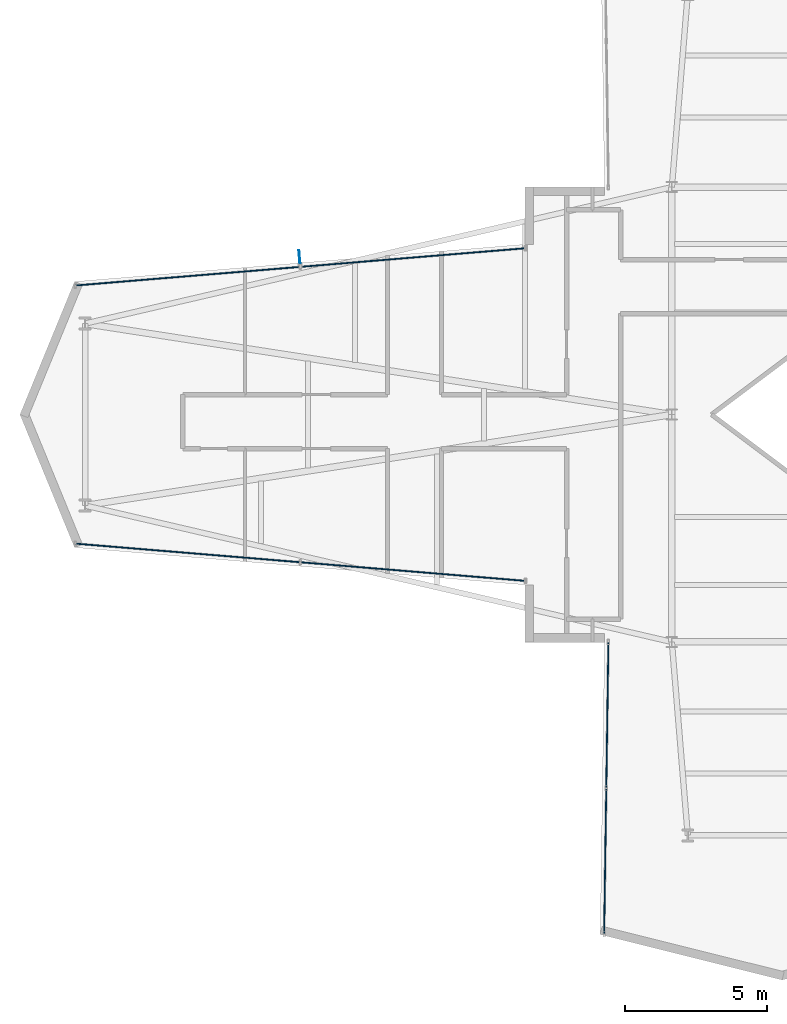
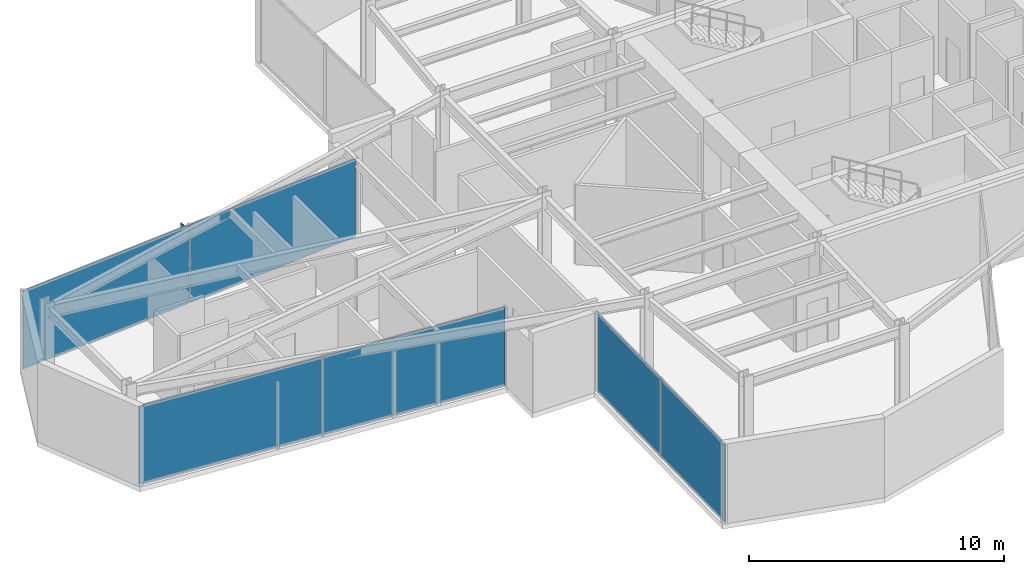
# One storey, part 19 of 25: 7 plates, 3 elements without a shape of their own.
"""IFC4 building model written with IfcOpenShell, lengths in metres."""

import ifcopenshell
import ifcopenshell.guid

model = None  # the IFC model being written
_history = None  # IfcOwnerHistory: only IFC2X3 demands one
_inside = {}  # id of a spatial element -> (the spatial element, [elements in it])
_under = {}  # id of a project, library or spatial element -> (it, [spatial elements below it])
_declared = {}  # id of a project -> (the project, [libraries it declares])
_typed = {}  # id of a type object -> (the type object, [elements of that type])
_made_of = {}  # id of a material, layer set ... -> (it, [elements and type objects made of it])


def new_model(schema):
    """Start an empty IFC model of exactly this schema.

    Asked for "IFC4X3", IfcOpenShell would pick the latest addendum, in which some entities
    have other attributes; the version numbers below select the first issue.
    IFC2X3 requires an IfcOwnerHistory on every rooted entity: one is made here for all.
    """
    global model, _history
    if schema == "IFC4X3":
        model = ifcopenshell.file(schema_version=(4, 3, 0, 0))
    else:
        model = ifcopenshell.file(schema=schema)
    _inside.clear()
    _under.clear()
    _declared.clear()
    _typed.clear()
    _made_of.clear()
    _history = None
    if model.schema == "IFC2X3":
        org = make("IfcOrganization", Name="unknown")
        user = make(
            "IfcPersonAndOrganization",
            ThePerson=make("IfcPerson", FamilyName="unknown"),
            TheOrganization=org,
        )
        app = make(
            "IfcApplication",
            ApplicationDeveloper=org,
            Version="unknown",
            ApplicationFullName="unknown",
            ApplicationIdentifier="unknown",
        )
        _history = make(
            "IfcOwnerHistory",
            OwningUser=user,
            OwningApplication=app,
            ChangeAction="ADDED",
            CreationDate=0,
        )
    return model


def make(cls, **values):
    """One entity of the class cls with the attributes given. An attribute that is None is left unset."""
    return model.create_entity(
        cls, **{name: value for name, value in values.items() if value is not None}
    )


def rooted(cls, **values):
    """An entity with a GlobalId (a new one), such as an element, a storey or a relation."""
    return make(cls, GlobalId=ifcopenshell.guid.new(), OwnerHistory=_history, **values)


def si_unit(unit_type, name, prefix=None):
    """IfcSIUnit, for example si_unit("LENGTHUNIT", "METRE", prefix="MILLI")."""
    return make("IfcSIUnit", UnitType=unit_type, Prefix=prefix, Name=name)


def assignment(units):
    """IfcUnitAssignment: the units of a project."""
    return None if units is None else make("IfcUnitAssignment", Units=units)


def point(xyz):
    """IfcCartesianPoint."""
    return None if xyz is None else make("IfcCartesianPoint", Coordinates=xyz)


def direction(xyz):
    """IfcDirection."""
    return None if xyz is None else make("IfcDirection", DirectionRatios=xyz)


def frame(location, z_axis=None, x_axis=None):
    """IfcAxis2Placement3D, a coordinate frame: its origin and axes. An axis left out is left unset."""
    return make(
        "IfcAxis2Placement3D",
        Location=point(location),
        Axis=direction(z_axis),
        RefDirection=direction(x_axis),
    )


def frame_2d(location, x_axis=None):
    """IfcAxis2Placement2D, a coordinate frame in the plane: its origin and x axis."""
    return make(
        "IfcAxis2Placement2D", Location=point(location), RefDirection=direction(x_axis)
    )


def origin():
    """The frame at (0, 0, 0) with its axes left unset."""
    return frame((0.0, 0.0, 0.0))


def origin_2d():
    """The frame at (0, 0) in the plane with its x axis left unset."""
    return frame_2d((0.0, 0.0))


def place(relative_to, where):
    """IfcLocalPlacement: puts the frame where relative to a parent placement (None: the world)."""
    return make(
        "IfcLocalPlacement", PlacementRelTo=relative_to, RelativePlacement=where
    )


def context(
    kind, dimensions, precision=None, world=None, true_north=None, identifier=None
):
    """IfcGeometricRepresentationContext, for example the 3D "Model" context."""
    return make(
        "IfcGeometricRepresentationContext",
        ContextIdentifier=identifier,
        ContextType=kind,
        CoordinateSpaceDimension=dimensions,
        Precision=precision,
        WorldCoordinateSystem=world,
        TrueNorth=true_north,
    )


def subcontext(parent, identifier, kind, view, scale=None):
    """IfcGeometricRepresentationSubContext, for example "Body" below "Model"."""
    return make(
        "IfcGeometricRepresentationSubContext",
        ContextIdentifier=identifier,
        ContextType=kind,
        ParentContext=parent,
        TargetScale=scale,
        TargetView=view,
    )


def project(units=None, contexts=None):
    """IfcProject with its units and contexts."""
    return rooted(
        "IfcProject",
        Name="project",
        RepresentationContexts=contexts,
        UnitsInContext=assignment(units),
    )


def spatial(cls, under=None, at=None, **own):
    """A site, building, storey or space (cls), placed at a placement, below another one or the project."""
    s = rooted(cls, ObjectPlacement=at, **own)
    if under is not None:
        _under.setdefault(under.id(), (under, []))[1].append(s)
    return s


def profile(cls, at=None, kind="AREA", **sizes):
    """A parametric profile (cls). Its sizes go by their IFC names, for example OverallWidth=200.0."""
    return make(cls, ProfileType=kind, Position=at, **sizes)


def rectangle(**sizes):
    """IfcRectangleProfileDef."""
    return profile("IfcRectangleProfileDef", **sizes)


def extrude(swept, where, along, depth):
    """IfcExtrudedAreaSolid: the profile swept, set in the frame where, extruded along a direction by depth."""
    return make(
        "IfcExtrudedAreaSolid",
        SweptArea=swept,
        Position=where,
        ExtrudedDirection=direction(along),
        Depth=depth,
    )


def shape(context_of_items, identifier, shape_type, items):
    """IfcShapeRepresentation: the items that make up one representation, for example the "Body"."""
    return make(
        "IfcShapeRepresentation",
        ContextOfItems=context_of_items,
        RepresentationIdentifier=identifier,
        RepresentationType=shape_type,
        Items=items,
    )


def material(Name=None, Category=None):
    """IfcMaterial."""
    return make("IfcMaterial", Name=Name, Category=Category)


def layer(
    of_material, thickness, ventilated=None, Name=None, Category=None, Priority=None
):
    """IfcMaterialLayer: one layer of a wall or slab, of a material (None: an air gap)."""
    return make(
        "IfcMaterialLayer",
        Material=of_material,
        LayerThickness=thickness,
        IsVentilated=ventilated,
        Name=Name,
        Category=Category,
        Priority=Priority,
    )


def layer_set(layers, Name=None):
    """IfcMaterialLayerSet."""
    return make("IfcMaterialLayerSet", MaterialLayers=layers, LayerSetName=Name)


def made_of(thing, what):
    """Note that an element or type object is made of a material, layer set ...; save() writes the relation."""
    if what is not None:
        _made_of.setdefault(what.id(), (what, []))[1].append(thing)
    return thing


def type_object(cls, material=None, **own):
    """A type object (cls), such as IfcWallType, which elements share."""
    return made_of(rooted(cls, **own), material)


def element(
    cls,
    number,
    at=None,
    inside=None,
    cuts=None,
    type_object=None,
    material=None,
    context=None,
    identifier="Body",
    shape_type=None,
    held_by="IfcProductDefinitionShape",
    body=None,
    shapes=None,
    **own,
):
    """One element of the class cls, such as IfcWall. Its Tag is "e" and its number.

    at: its placement. inside: the storey or other place that contains it. cuts: it is an
    opening in that element (IfcRelVoidsElement). A single representation is given by context,
    identifier, shape_type and body (its items); several are given by shapes. held_by: the class
    of the entity that holds the representations. save() writes the other relations.
    """
    e = rooted(cls, Tag="e%d" % number, ObjectPlacement=at, **own)
    if body is not None:
        shapes = [shape(context, identifier, shape_type, body)]
    if shapes is not None:
        e.Representation = make(held_by, Representations=shapes)
    if inside is not None:
        _inside.setdefault(inside.id(), (inside, []))[1].append(e)
    if cuts is not None:
        rooted(
            "IfcRelVoidsElement", RelatingBuildingElement=cuts, RelatedOpeningElement=e
        )
    if type_object is not None:
        _typed.setdefault(type_object.id(), (type_object, []))[1].append(e)
    return made_of(e, material)


def aggregate(whole, parts):
    """IfcRelAggregates: a whole, such as a stair, and the parts it consists of."""
    return rooted("IfcRelAggregates", RelatingObject=whole, RelatedObjects=parts)


def save(model, path):
    """Write the relations noted so far, then the file.

    IfcRelAggregates (storeys below a building ...), IfcRelContainedInSpatialStructure (elements
    in a storey), IfcRelDefinesByType, IfcRelAssociatesMaterial and IfcRelDeclares: one each for
    every whole, place, type object, material and project.
    """
    for whole, parts in _under.values():
        aggregate(whole, parts)
    for where, things in _inside.values():
        rooted(
            "IfcRelContainedInSpatialStructure",
            RelatedElements=things,
            RelatingStructure=where,
        )
    for kind, things in _typed.values():
        rooted("IfcRelDefinesByType", RelatedObjects=things, RelatingType=kind)
    for what, things in _made_of.values():
        rooted("IfcRelAssociatesMaterial", RelatedObjects=things, RelatingMaterial=what)
    for by, libraries in _declared.values():
        rooted("IfcRelDeclares", RelatingContext=by, RelatedDefinitions=libraries)
    model.write(path)


model = new_model("IFC4")

# Units and contexts
model_context = context("Model", 3, precision=1e-05, world=origin(), true_north=direction((0.0, 1.0)))
body_context = subcontext(model_context, "Body", "Model", "MODEL_VIEW")
ifc_project = project(units=[si_unit("LENGTHUNIT", "METRE"), si_unit("AREAUNIT", "SQUARE_METRE"), si_unit("VOLUMEUNIT", "CUBIC_METRE"), si_unit("PLANEANGLEUNIT", "RADIAN"), si_unit("MASSUNIT", "GRAM", prefix="KILO")], contexts=[model_context])

# Site, building, storey
site_placement = place(None, origin())
site = spatial("IfcSite", under=ifc_project, at=site_placement, CompositionType="ELEMENT")
building_placement = place(site_placement, origin())
building = spatial("IfcBuilding", under=site, at=building_placement, Name="Veymaron Broadcast Tower", CompositionType="ELEMENT")
storey_placement = place(building_placement, frame((0.0, 0.0, 116.85009765625)))
storey = spatial("IfcBuildingStorey", under=building, at=storey_placement, Name="L26", CompositionType="ELEMENT", Elevation=116.85009765625)

# Curtain wall, plates
ifc_material_1 = material(Name="Anodised aluminium AA 6063-T6 and laminated low-E dark glass", Category="aluminium")
ifc_layer_1 = layer(ifc_material_1, 0.179931640625)
ifc_layer_set_1 = layer_set([ifc_layer_1], Name="Anodised aluminium AA 6063-T6 and laminated low-E dark glass")
curtain_wall_type = type_object("IfcCurtainWallType", Name="CW-SYS-03", PredefinedType="NOTDEFINED", material=ifc_layer_set_1)
curtain_wall_1_placement = place(storey_placement, origin())
curtain_wall_1 = element("IfcCurtainWall", 1, at=curtain_wall_1_placement, inside=storey, type_object=curtain_wall_type, Name="L26 dark-glass curtain wall CW-L26-E11-1", PredefinedType="NOTDEFINED")
ifc_material_2 = material(Name="Insulated dark-anodised aluminium spandrel panel 40 mm", Category="aluminium")
ifc_layer_2 = layer(ifc_material_2, 0.0400390625)
ifc_layer_set_2 = layer_set([ifc_layer_2], Name="Insulated dark-anodised aluminium spandrel panel 40 mm")
plate_type_1 = type_object("IfcPlateType", Name="CW-PNL-03", PredefinedType="CURTAIN_PANEL", material=ifc_layer_set_2)
plate_1_placement = place(storey_placement, frame((22.091552734375, 29.52294921875, 0.039794921875), z_axis=(0.0, 0.0, 1.0), x_axis=(-0.996588588054, -0.082529910699, 0.0)))
plate_1 = element("IfcPlate", 2, at=plate_1_placement, type_object=plate_type_1, Name="CW-L26-E11-1 unitised curtain panel 0", PredefinedType="CURTAIN_PANEL", context=body_context, shape_type="SweptSolid", body=[
    extrude(rectangle(XDim=7.88720703125, YDim=0.0400390625, at=origin_2d()), origin(), (0.0, 0.0, 1.0), 3.72998046875),
])
plate_2_placement = place(storey_placement, frame((14.171630859375, 28.866943359375, 0.039794921875), z_axis=(0.0, 0.0, 1.0), x_axis=(-0.996588588054, -0.082529910699, 0.0)))
plate_2 = element("IfcPlate", 3, at=plate_2_placement, type_object=plate_type_1, Name="CW-L26-E11-1 unitised curtain panel 1", PredefinedType="CURTAIN_PANEL", context=body_context, shape_type="SweptSolid", body=[
    extrude(rectangle(XDim=7.88720703125, YDim=0.0400390625, at=origin_2d()), origin(), (0.0, 0.0, 1.0), 3.72998046875),
])
aggregate(curtain_wall_1, [plate_1, plate_2])

curtain_wall_2_placement = place(storey_placement, origin())
curtain_wall_2 = element("IfcCurtainWall", 4, at=curtain_wall_2_placement, inside=storey, type_object=curtain_wall_type, Name="L26 dark-glass curtain wall CW-L26-E14-1", PredefinedType="NOTDEFINED")
plate_3_placement = place(storey_placement, frame((14.171630859375, 19.133056640625, 0.039794921875), z_axis=(0.0, 0.0, 1.0), x_axis=(0.996588588054, -0.082529910699, 0.0)))
plate_3 = element("IfcPlate", 5, at=plate_3_placement, type_object=plate_type_1, Name="CW-L26-E14-1 unitised curtain panel 0", PredefinedType="CURTAIN_PANEL", context=body_context, shape_type="SweptSolid", body=[
    extrude(rectangle(XDim=7.88720703125, YDim=0.0400390625, at=origin_2d()), origin(), (0.0, 0.0, 1.0), 3.72998046875),
])
plate_4_placement = place(storey_placement, frame((22.091552734375, 18.47705078125, 0.039794921875), z_axis=(0.0, 0.0, 1.0), x_axis=(0.996588588054, -0.082529910699, 0.0)))
plate_4 = element("IfcPlate", 6, at=plate_4_placement, type_object=plate_type_1, Name="CW-L26-E14-1 unitised curtain panel 1", PredefinedType="CURTAIN_PANEL", context=body_context, shape_type="SweptSolid", body=[
    extrude(rectangle(XDim=7.88720703125, YDim=0.0400390625, at=origin_2d()), origin(), (0.0, 0.0, 1.0), 3.72998046875),
])
aggregate(curtain_wall_2, [plate_3, plate_4])

curtain_wall_3_placement = place(storey_placement, origin())
curtain_wall_3 = element("IfcCurtainWall", 7, at=curtain_wall_3_placement, inside=storey, type_object=curtain_wall_type, Name="L26 dark-glass curtain wall CW-L26-E17-1", PredefinedType="NOTDEFINED")
plate_5_placement = place(storey_placement, frame((28.9306640625, 13.427978515625, 0.039794921875), z_axis=(0.0, 0.0, 1.0), x_axis=(-0.014642789111, -0.999892788616, 0.0)))
plate_5 = element("IfcPlate", 8, at=plate_5_placement, type_object=plate_type_1, Name="CW-L26-E17-1 unitised curtain panel 0", PredefinedType="CURTAIN_PANEL", context=body_context, shape_type="SweptSolid", body=[
    extrude(rectangle(XDim=5.08056640625, YDim=0.0400390625, at=origin_2d()), origin(), (0.0, 0.0, 1.0), 3.72998046875),
])
plate_6_placement = place(storey_placement, frame((28.85546875, 8.2880859375, 0.039794921875), z_axis=(0.0, 0.0, 1.0), x_axis=(-0.014642789111, -0.999892788616, 0.0)))
plate_6 = element("IfcPlate", 9, at=plate_6_placement, type_object=plate_type_1, Name="CW-L26-E17-1 unitised curtain panel 1", PredefinedType="CURTAIN_PANEL", context=body_context, shape_type="SweptSolid", body=[
    extrude(rectangle(XDim=5.08056640625, YDim=0.0400390625, at=origin_2d()), origin(), (0.0, 0.0, 1.0), 3.72998046875),
])
aggregate(curtain_wall_3, [plate_5, plate_6])

# Plate
ifc_material_3 = material(Name="Dark-anodised aluminium AA 6061-T6", Category="aluminium")
ifc_layer_3 = layer(ifc_material_3, 0.034912109375)
ifc_layer_set_3 = layer_set([ifc_layer_3], Name="Dark-anodised aluminium AA 6061-T6")
plate_type_2 = type_object("IfcPlateType", Name="FIN-CHEV-01", PredefinedType="USERDEFINED", material=ifc_layer_set_3)
plate_7_placement = place(storey_placement, frame((18.102294921875, 29.548828125, 0.2666015625), z_axis=(0.0, 0.0, 1.0), x_axis=(-0.082529910699, 0.996588588054, 0.0)))
element("IfcPlate", 10, at=plate_7_placement, inside=storey, type_object=plate_type_2, Name="CW-L26-E11-1 chevron fin 1", ObjectType="FIN", PredefinedType="USERDEFINED", context=body_context, shape_type="SweptSolid", body=[
    extrude(rectangle(XDim=0.449951171875, YDim=0.034912109375, at=origin_2d()), origin(), (0.0, 0.0, 1.0), 3.276611328125),
])

save(model, "model.ifc")
